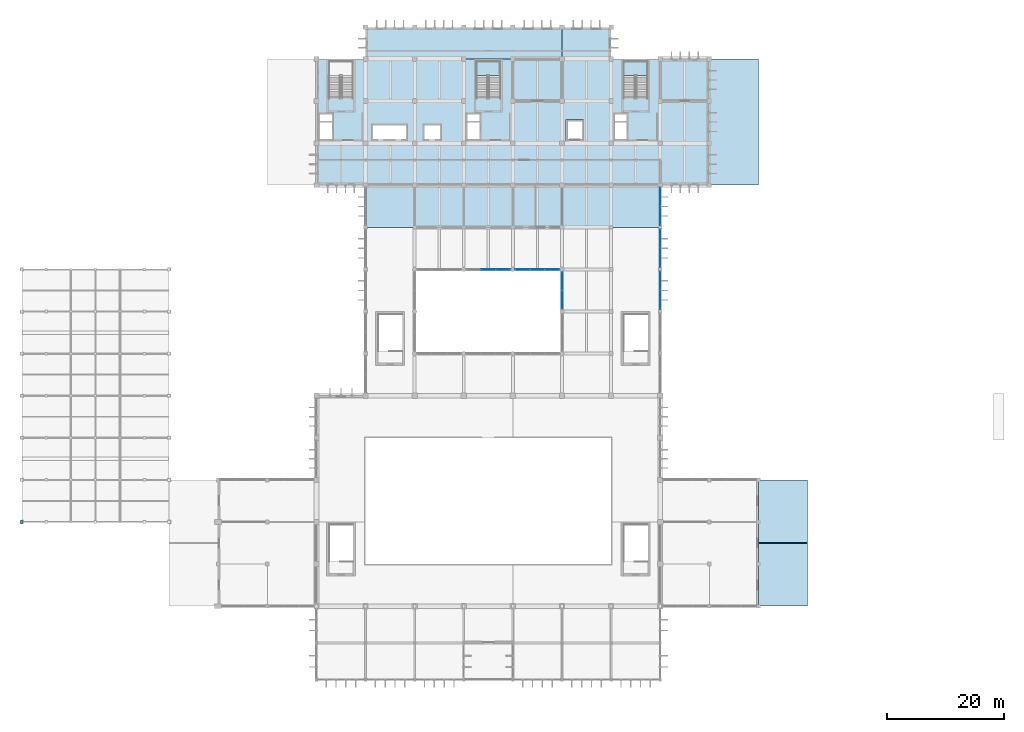
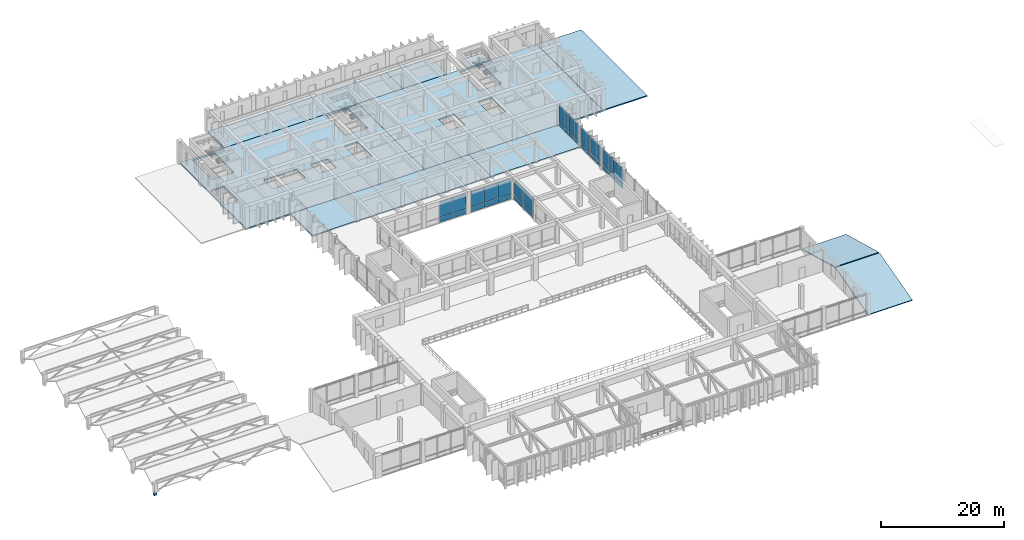
# One storey, part 24 of 40: 27 plates, 11 slabs, 8 elements without a shape of their own.
"""IFC4 building model written with IfcOpenShell, lengths in metres."""

from ifc_helpers import new_model, si_unit, direction, frame, origin, origin_2d, place, context, subcontext, project, spatial, polyline, rectangle, outline, extrude, material, layer, layer_set, type_object, element, aggregate, save


model = new_model("IFC4")

# Units and contexts
model_context = context("Model", 3, precision=1e-05, world=origin(), true_north=direction((0.0, 1.0)))
body_context = subcontext(model_context, "Body", "Model", "MODEL_VIEW")
ifc_project = project(units=[si_unit("LENGTHUNIT", "METRE"), si_unit("AREAUNIT", "SQUARE_METRE"), si_unit("VOLUMEUNIT", "CUBIC_METRE"), si_unit("PLANEANGLEUNIT", "RADIAN"), si_unit("MASSUNIT", "GRAM", prefix="KILO")], contexts=[model_context])

# Site, building, storey
site_placement = place(None, origin())
site = spatial("IfcSite", under=ifc_project, at=site_placement, CompositionType="ELEMENT")
building_placement = place(site_placement, origin())
building = spatial("IfcBuilding", under=site, at=building_placement, Name="Kenerak Square Central Library", CompositionType="ELEMENT")
storey_placement = place(building_placement, frame((0.0, 0.0, 14.39990234375)))
storey = spatial("IfcBuildingStorey", under=building, at=storey_placement, Name="L03", CompositionType="ELEMENT", Elevation=14.39990234375)

# Plate
ifc_material_1 = material(Name="Steel S355", Category="steel")
ifc_layer_1 = layer(ifc_material_1, 0.030029296875)
ifc_layer_set_1 = layer_set([ifc_layer_1], Name="Steel S355")
plate_type_1 = type_object("IfcPlateType", Name="Auditorium Truss Gusset Node ATN-01 30mm S355", PredefinedType="USERDEFINED", material=ifc_layer_set_1)
plate_1_placement = place(storey_placement, frame((8.0, 31.199951171875, -0.489990234375), z_axis=(0.0, 0.0, 1.0), x_axis=(1.0, 0.0, 0.0)))
element("IfcPlate", 1, at=plate_1_placement, inside=storey, type_object=plate_type_1, Name="Auditorium Truss Bearing Cap ATN-01 0213", ObjectType="GUSSET PLATE", PredefinedType="USERDEFINED", context=body_context, shape_type="SweptSolid", body=[
    extrude(rectangle(XDim=0.47998046875, YDim=0.47998046875, at=origin_2d()), origin(), (0.0, 0.0, 1.0), 0.47998046875),
])

# Slabs
ifc_material_2 = material(Name="Concrete C40/50", Category="concrete")
ifc_layer_2 = layer(ifc_material_2, 0.300048828125)
ifc_layer_set_2 = layer_set([ifc_layer_2], Name="Concrete C40/50")
slab_type_1 = type_object("IfcSlabType", Name="Compact-Shelving Vault Slab FS-300 C40/50", PredefinedType="FLOOR", material=ifc_layer_set_2)
slab_1_placement = place(storey_placement, frame((0.0, 0.0, -0.2998046875)))
element("IfcSlab", 2, at=slab_1_placement, inside=storey, type_object=slab_type_1, Name="V5 Floor Slab L03 087", PredefinedType="FLOOR", context=body_context, shape_type="SweptSolid", body=[
    extrude(outline(polyline([(58.39990234375, 88.800048828125), (58.39990234375, 110.39990234375), (92.0, 110.39990234375), (92.0, 88.800048828125), (58.39990234375, 88.800048828125)]), holes=[polyline([(64.679931640625, 103.64990234375), (64.679931640625, 110.0), (60.52001953125, 110.0), (60.52001953125, 103.64990234375), (64.679931640625, 103.64990234375)]), polyline([(89.8798828125, 103.64990234375), (89.8798828125, 110.0), (85.719970703125, 110.0), (85.719970703125, 103.64990234375), (89.8798828125, 103.64990234375)]), polyline([(67.800048828125, 96.39990234375), (74.0, 96.39990234375), (74.0, 99.300048828125), (67.800048828125, 99.300048828125), (67.800048828125, 96.39990234375)]), polyline([(76.60009765625, 96.39990234375), (79.800048828125, 96.39990234375), (79.800048828125, 99.300048828125), (76.60009765625, 99.300048828125), (76.60009765625, 96.39990234375)]), polyline([(58.800048828125, 96.39990234375), (61.300048828125, 96.39990234375), (61.300048828125, 101.0), (58.800048828125, 101.0), (58.800048828125, 96.39990234375)]), polyline([(84.0, 96.39990234375), (86.5, 96.39990234375), (86.5, 101.0), (84.0, 101.0), (84.0, 96.39990234375)])]), origin(), (0.0, 0.0, 1.0), 0.2998046875),
])
slab_2_placement = place(storey_placement, frame((0.0, 0.0, -0.2998046875)))
element("IfcSlab", 3, at=slab_2_placement, inside=storey, type_object=slab_type_1, Name="V5 Floor Slab L03 088", PredefinedType="FLOOR", context=body_context, shape_type="SweptSolid", body=[
    extrude(outline(polyline([(92.0, 88.800048828125), (92.0, 110.39990234375), (125.60009765625, 110.39990234375), (125.60009765625, 88.800048828125), (92.0, 88.800048828125)]), holes=[polyline([(115.080078125, 103.64990234375), (115.080078125, 110.0), (110.919921875, 110.0), (110.919921875, 103.64990234375), (115.080078125, 103.64990234375)]), polyline([(109.199951171875, 96.39990234375), (111.699951171875, 96.39990234375), (111.699951171875, 101.0), (109.199951171875, 101.0), (109.199951171875, 96.39990234375)]), polyline([(101.10009765625, 96.39990234375), (104.10009765625, 96.39990234375), (104.10009765625, 100.0), (101.10009765625, 100.0), (101.10009765625, 96.39990234375)])]), origin(), (0.0, 0.0, 1.0), 0.2998046875),
])
slab_3_placement = place(storey_placement, frame((0.0, 0.0, -0.2998046875)))
element("IfcSlab", 4, at=slab_3_placement, inside=storey, type_object=slab_type_1, Name="V5 Floor Slab L03 089", PredefinedType="FLOOR", context=body_context, shape_type="SweptSolid", body=[
    extrude(outline(polyline([(66.800048828125, 110.39990234375), (66.800048828125, 115.800048828125), (100.39990234375, 115.800048828125), (100.39990234375, 110.39990234375), (66.800048828125, 110.39990234375)])), origin(), (0.0, 0.0, 1.0), 0.2998046875),
])
slab_4_placement = place(storey_placement, frame((0.0, 0.0, -0.2998046875)))
element("IfcSlab", 5, at=slab_4_placement, inside=storey, type_object=slab_type_1, Name="V5 Floor Slab L03 090", PredefinedType="FLOOR", context=body_context, shape_type="SweptSolid", body=[
    extrude(outline(polyline([(100.39990234375, 110.39990234375), (100.39990234375, 115.800048828125), (108.800048828125, 115.800048828125), (108.800048828125, 110.39990234375), (100.39990234375, 110.39990234375)])), origin(), (0.0, 0.0, 1.0), 0.2998046875),
])

# Curtain wall, plates
ifc_material_3 = material(Name="Intumescent fire-resisting glazing EI 60", Category="glass")
curtain_wall_type_1 = type_object("IfcCurtainWallType", Name="Curtain Wall CW-AT60-64x42 6450x4230", PredefinedType="USERDEFINED", material=ifc_material_3)
curtain_wall_1_placement = place(storey_placement, origin())
curtain_wall_1 = element("IfcCurtainWall", 6, at=curtain_wall_1_placement, inside=storey, type_object=curtain_wall_type_1, Name="Atrium Fire-Rated Glazed Screen CW-AT60-64x42 L03 0171", ObjectType="CURTAIN WALL", PredefinedType="USERDEFINED")
ifc_layer_3 = layer(ifc_material_3, 0.0419921875)
ifc_layer_set_3 = layer_set([ifc_layer_3], Name="Intumescent fire-resisting glazing EI 60")
plate_type_2 = type_object("IfcPlateType", Name="Fire-Rated EI60 Atrium Glazing Panel CP-42", PredefinedType="CURTAIN_PANEL", material=ifc_layer_set_3)
plate_2_placement = place(storey_placement, frame((100.39990234375, 69.205078125, 0.06982421875), z_axis=(0.0, 0.0, 1.0), x_axis=(0.0, 1.0, 0.0)))
plate_2 = element("IfcPlate", 7, at=plate_2_placement, type_object=plate_type_2, Name="CW-AT60-64x42 Panel 1.1", PredefinedType="CURTAIN_PANEL", context=body_context, shape_type="SweptSolid", body=[
    extrude(rectangle(XDim=3.1201171875, YDim=0.0419921875, at=origin_2d()), origin(), (0.0, 0.0, 1.0), 0.945068359375),
])
plate_3_placement = place(storey_placement, frame((100.39990234375, 69.205078125, 1.0849609375), z_axis=(0.0, 0.0, 1.0), x_axis=(0.0, 1.0, 0.0)))
plate_3 = element("IfcPlate", 8, at=plate_3_placement, type_object=plate_type_2, Name="CW-AT60-64x42 Panel 1.2", PredefinedType="CURTAIN_PANEL", context=body_context, shape_type="SweptSolid", body=[
    extrude(rectangle(XDim=3.1201171875, YDim=0.0419921875, at=origin_2d()), origin(), (0.0, 0.0, 1.0), 3.074951171875),
])
plate_4_placement = place(storey_placement, frame((100.39990234375, 72.39501953125, 0.06982421875), z_axis=(0.0, 0.0, 1.0), x_axis=(0.0, 1.0, 0.0)))
plate_4 = element("IfcPlate", 9, at=plate_4_placement, type_object=plate_type_2, Name="CW-AT60-64x42 Panel 2.1", PredefinedType="CURTAIN_PANEL", context=body_context, shape_type="SweptSolid", body=[
    extrude(rectangle(XDim=3.1201171875, YDim=0.0419921875, at=origin_2d()), origin(), (0.0, 0.0, 1.0), 0.945068359375),
])
plate_5_placement = place(storey_placement, frame((100.39990234375, 72.39501953125, 1.0849609375), z_axis=(0.0, 0.0, 1.0), x_axis=(0.0, 1.0, 0.0)))
plate_5 = element("IfcPlate", 10, at=plate_5_placement, type_object=plate_type_2, Name="CW-AT60-64x42 Panel 2.2", PredefinedType="CURTAIN_PANEL", context=body_context, shape_type="SweptSolid", body=[
    extrude(rectangle(XDim=3.1201171875, YDim=0.0419921875, at=origin_2d()), origin(), (0.0, 0.0, 1.0), 3.074951171875),
])
aggregate(curtain_wall_1, [plate_2, plate_3, plate_4, plate_5])

curtain_wall_type_2 = type_object("IfcCurtainWallType", Name="Curtain Wall CW-AT60-76x42 7650x4230", PredefinedType="USERDEFINED", material=ifc_material_3)
curtain_wall_2_placement = place(storey_placement, origin())
curtain_wall_2 = element("IfcCurtainWall", 11, at=curtain_wall_2_placement, inside=storey, type_object=curtain_wall_type_2, Name="Atrium Fire-Rated Glazed Screen CW-AT60-76x42 L03 0172", ObjectType="CURTAIN WALL", PredefinedType="USERDEFINED")
plate_6_placement = place(storey_placement, frame((98.732421875, 74.39990234375, 0.06982421875), z_axis=(0.0, 0.0, 1.0), x_axis=(-1.0, 0.0, 0.0)))
plate_6 = element("IfcPlate", 12, at=plate_6_placement, type_object=plate_type_2, Name="CW-AT60-76x42 Panel 1.1", PredefinedType="CURTAIN_PANEL", context=body_context, shape_type="SweptSolid", body=[
    extrude(rectangle(XDim=2.445068359375, YDim=0.0419921875, at=origin_2d()), origin(), (0.0, 0.0, 1.0), 0.945068359375),
])
plate_7_placement = place(storey_placement, frame((98.732421875, 74.39990234375, 1.0849609375), z_axis=(0.0, 0.0, 1.0), x_axis=(-1.0, 0.0, 0.0)))
plate_7 = element("IfcPlate", 13, at=plate_7_placement, type_object=plate_type_2, Name="CW-AT60-76x42 Panel 1.2", PredefinedType="CURTAIN_PANEL", context=body_context, shape_type="SweptSolid", body=[
    extrude(rectangle(XDim=2.445068359375, YDim=0.0419921875, at=origin_2d()), origin(), (0.0, 0.0, 1.0), 3.074951171875),
])
plate_8_placement = place(storey_placement, frame((96.199951171875, 74.39990234375, 0.06982421875), z_axis=(0.0, 0.0, 1.0), x_axis=(-1.0, 0.0, 0.0)))
plate_8 = element("IfcPlate", 14, at=plate_8_placement, type_object=plate_type_2, Name="CW-AT60-76x42 Panel 2.1", PredefinedType="CURTAIN_PANEL", context=body_context, shape_type="SweptSolid", body=[
    extrude(rectangle(XDim=2.47998046875, YDim=0.0419921875, at=origin_2d()), origin(), (0.0, 0.0, 1.0), 0.945068359375),
])
plate_9_placement = place(storey_placement, frame((96.199951171875, 74.39990234375, 1.0849609375), z_axis=(0.0, 0.0, 1.0), x_axis=(-1.0, 0.0, 0.0)))
plate_9 = element("IfcPlate", 15, at=plate_9_placement, type_object=plate_type_2, Name="CW-AT60-76x42 Panel 2.2", PredefinedType="CURTAIN_PANEL", context=body_context, shape_type="SweptSolid", body=[
    extrude(rectangle(XDim=2.47998046875, YDim=0.0419921875, at=origin_2d()), origin(), (0.0, 0.0, 1.0), 3.074951171875),
])
plate_10_placement = place(storey_placement, frame((93.66748046875, 74.39990234375, 0.06982421875), z_axis=(0.0, 0.0, 1.0), x_axis=(-1.0, 0.0, 0.0)))
plate_10 = element("IfcPlate", 16, at=plate_10_placement, type_object=plate_type_2, Name="CW-AT60-76x42 Panel 3.1", PredefinedType="CURTAIN_PANEL", context=body_context, shape_type="SweptSolid", body=[
    extrude(rectangle(XDim=2.445068359375, YDim=0.0419921875, at=origin_2d()), origin(), (0.0, 0.0, 1.0), 0.945068359375),
])
plate_11_placement = place(storey_placement, frame((93.66748046875, 74.39990234375, 1.0849609375), z_axis=(0.0, 0.0, 1.0), x_axis=(-1.0, 0.0, 0.0)))
plate_11 = element("IfcPlate", 17, at=plate_11_placement, type_object=plate_type_2, Name="CW-AT60-76x42 Panel 3.2", PredefinedType="CURTAIN_PANEL", context=body_context, shape_type="SweptSolid", body=[
    extrude(rectangle(XDim=2.445068359375, YDim=0.0419921875, at=origin_2d()), origin(), (0.0, 0.0, 1.0), 3.074951171875),
])
aggregate(curtain_wall_2, [plate_6, plate_7, plate_8, plate_9, plate_10, plate_11])

curtain_wall_3_placement = place(storey_placement, origin())
curtain_wall_3 = element("IfcCurtainWall", 18, at=curtain_wall_3_placement, inside=storey, type_object=curtain_wall_type_2, Name="Atrium Fire-Rated Glazed Screen CW-AT60-76x42 L03 0173", ObjectType="CURTAIN WALL", PredefinedType="USERDEFINED")
plate_12_placement = place(storey_placement, frame((90.33251953125, 74.39990234375, 0.06982421875), z_axis=(0.0, 0.0, 1.0), x_axis=(-1.0, 0.0, 0.0)))
plate_12 = element("IfcPlate", 19, at=plate_12_placement, type_object=plate_type_2, Name="CW-AT60-76x42 Panel 1.1", PredefinedType="CURTAIN_PANEL", context=body_context, shape_type="SweptSolid", body=[
    extrude(rectangle(XDim=2.445068359375, YDim=0.0419921875, at=origin_2d()), origin(), (0.0, 0.0, 1.0), 0.945068359375),
])
plate_13_placement = place(storey_placement, frame((90.33251953125, 74.39990234375, 1.0849609375), z_axis=(0.0, 0.0, 1.0), x_axis=(-1.0, 0.0, 0.0)))
plate_13 = element("IfcPlate", 20, at=plate_13_placement, type_object=plate_type_2, Name="CW-AT60-76x42 Panel 1.2", PredefinedType="CURTAIN_PANEL", context=body_context, shape_type="SweptSolid", body=[
    extrude(rectangle(XDim=2.445068359375, YDim=0.0419921875, at=origin_2d()), origin(), (0.0, 0.0, 1.0), 3.074951171875),
])
plate_14_placement = place(storey_placement, frame((87.800048828125, 74.39990234375, 0.06982421875), z_axis=(0.0, 0.0, 1.0), x_axis=(-1.0, 0.0, 0.0)))
plate_14 = element("IfcPlate", 21, at=plate_14_placement, type_object=plate_type_2, Name="CW-AT60-76x42 Panel 2.1", PredefinedType="CURTAIN_PANEL", context=body_context, shape_type="SweptSolid", body=[
    extrude(rectangle(XDim=2.47998046875, YDim=0.0419921875, at=origin_2d()), origin(), (0.0, 0.0, 1.0), 0.945068359375),
])
plate_15_placement = place(storey_placement, frame((87.800048828125, 74.39990234375, 1.0849609375), z_axis=(0.0, 0.0, 1.0), x_axis=(-1.0, 0.0, 0.0)))
plate_15 = element("IfcPlate", 22, at=plate_15_placement, type_object=plate_type_2, Name="CW-AT60-76x42 Panel 2.2", PredefinedType="CURTAIN_PANEL", context=body_context, shape_type="SweptSolid", body=[
    extrude(rectangle(XDim=2.47998046875, YDim=0.0419921875, at=origin_2d()), origin(), (0.0, 0.0, 1.0), 3.074951171875),
])
aggregate(curtain_wall_3, [plate_12, plate_13, plate_14, plate_15])

# Slabs
ifc_layer_4 = layer(ifc_material_2, 0.22509765625)
ifc_layer_set_4 = layer_set([ifc_layer_4], Name="Concrete C40/50")
slab_type_2 = type_object("IfcSlabType", Name="General Reading Room Slab FS-225 C40/50", PredefinedType="FLOOR", material=ifc_layer_set_4)
slab_5_placement = place(storey_placement, frame((0.0, 0.0, -0.224853515625)))
element("IfcSlab", 23, at=slab_5_placement, inside=storey, type_object=slab_type_2, Name="V4 Floor Slab L03 049", PredefinedType="FLOOR", context=body_context, shape_type="SweptSolid", body=[
    extrude(outline(polyline([(66.800048828125, 81.60009765625), (66.800048828125, 88.800048828125), (100.39990234375, 88.800048828125), (100.39990234375, 81.60009765625), (66.800048828125, 81.60009765625)])), origin(), (0.0, 0.0, 1.0), 0.224853515625),
])
slab_6_placement = place(storey_placement, frame((0.0, 0.0, -0.224853515625)))
element("IfcSlab", 24, at=slab_6_placement, inside=storey, type_object=slab_type_2, Name="V4 Floor Slab L03 051", PredefinedType="FLOOR", context=body_context, shape_type="SweptSolid", body=[
    extrude(outline(polyline([(100.39990234375, 81.60009765625), (100.39990234375, 88.800048828125), (117.199951171875, 88.800048828125), (117.199951171875, 81.60009765625), (100.39990234375, 81.60009765625)])), origin(), (0.0, 0.0, 1.0), 0.224853515625),
])
ifc_layer_5 = layer(ifc_material_2, 0.199951171875)
ifc_layer_set_5 = layer_set([ifc_layer_5], Name="Concrete C40/50")
slab_type_3 = type_object("IfcSlabType", Name="Heavyweight Stack Flat Roof Slab RS-200 C40/50", PredefinedType="ROOF", material=ifc_layer_set_5)
slab_7_placement = place(storey_placement, frame((0.0, 0.0, -0.199951171875)))
element("IfcSlab", 25, at=slab_7_placement, inside=storey, type_object=slab_type_3, Name="Stepped Stack Roof V5-L03-E", PredefinedType="ROOF", context=body_context, shape_type="SweptSolid", body=[
    extrude(outline(polyline([(125.64990234375, 88.800048828125), (134.0, 88.800048828125), (134.0, 110.39990234375), (125.64990234375, 110.39990234375), (125.64990234375, 88.800048828125)])), origin(), (0.0, 0.0, 1.0), 0.199951171875),
])

# Curtain wall, plates
ifc_material_4 = material(Name="Anodised aluminium and solar-control low-E glazing", Category="aluminium")
curtain_wall_type_3 = type_object("IfcCurtainWallType", Name="Curtain Wall CW-V4-64x42 6475x4230", PredefinedType="USERDEFINED", material=ifc_material_4)
curtain_wall_4_placement = place(storey_placement, origin())
curtain_wall_4 = element("IfcCurtainWall", 26, at=curtain_wall_4_placement, inside=storey, type_object=curtain_wall_type_3, Name="Curtain Wall CW-V4-64x42 L03 0116", ObjectType="CURTAIN WALL", PredefinedType="USERDEFINED")
ifc_material_5 = material(Name="Solar-control low-E laminated double glazing", Category="glass")
ifc_layer_6 = layer(ifc_material_5, 0.02392578125)
ifc_layer_set_6 = layer_set([ifc_layer_6], Name="Solar-control low-E laminated double glazing")
plate_type_3 = type_object("IfcPlateType", Name="Low-E Double Glazed Curtain Panel CP-24", PredefinedType="CURTAIN_PANEL", material=ifc_layer_set_6)
plate_16_placement = place(storey_placement, frame((117.199951171875, 86.764892578125, 0.06494140625), z_axis=(0.0, 0.0, 1.0), x_axis=(0.0, -1.0, 0.0)))
plate_16 = element("IfcPlate", 27, at=plate_16_placement, type_object=plate_type_3, Name="CW-V4-64x42 Panel 1.1", PredefinedType="CURTAIN_PANEL", context=body_context, shape_type="SweptSolid", body=[
    extrude(rectangle(XDim=3.139892578125, YDim=0.02392578125, at=origin_2d()), origin(), (0.0, 0.0, 1.0), 0.802490234375),
])
plate_17_placement = place(storey_placement, frame((117.199951171875, 86.764892578125, 0.9326171875), z_axis=(0.0, 0.0, 1.0), x_axis=(0.0, -1.0, 0.0)))
plate_17 = element("IfcPlate", 28, at=plate_17_placement, type_object=plate_type_3, Name="CW-V4-64x42 Panel 1.2", PredefinedType="CURTAIN_PANEL", context=body_context, shape_type="SweptSolid", body=[
    extrude(rectangle(XDim=3.139892578125, YDim=0.02392578125, at=origin_2d()), origin(), (0.0, 0.0, 1.0), 3.232421875),
])
plate_18_placement = place(storey_placement, frame((117.199951171875, 83.56005859375, 0.06494140625), z_axis=(0.0, 0.0, 1.0), x_axis=(0.0, -1.0, 0.0)))
plate_18 = element("IfcPlate", 29, at=plate_18_placement, type_object=plate_type_3, Name="CW-V4-64x42 Panel 2.1", PredefinedType="CURTAIN_PANEL", context=body_context, shape_type="SweptSolid", body=[
    extrude(rectangle(XDim=3.139892578125, YDim=0.02392578125, at=origin_2d()), origin(), (0.0, 0.0, 1.0), 0.802490234375),
])
plate_19_placement = place(storey_placement, frame((117.199951171875, 83.56005859375, 0.9326171875), z_axis=(0.0, 0.0, 1.0), x_axis=(0.0, -1.0, 0.0)))
plate_19 = element("IfcPlate", 30, at=plate_19_placement, type_object=plate_type_3, Name="CW-V4-64x42 Panel 2.2", PredefinedType="CURTAIN_PANEL", context=body_context, shape_type="SweptSolid", body=[
    extrude(rectangle(XDim=3.139892578125, YDim=0.02392578125, at=origin_2d()), origin(), (0.0, 0.0, 1.0), 3.232421875),
])
aggregate(curtain_wall_4, [plate_16, plate_17, plate_18, plate_19])

curtain_wall_type_4 = type_object("IfcCurtainWallType", Name="Curtain Wall CW-V4-65x42 6550x4230", PredefinedType="USERDEFINED", material=ifc_material_4)
curtain_wall_5_placement = place(storey_placement, origin())
curtain_wall_5 = element("IfcCurtainWall", 31, at=curtain_wall_5_placement, inside=storey, type_object=curtain_wall_type_4, Name="Curtain Wall CW-V4-65x42 L03 0117", ObjectType="CURTAIN WALL", PredefinedType="USERDEFINED")
plate_20_placement = place(storey_placement, frame((117.199951171875, 79.621337890625, 0.06494140625), z_axis=(0.0, 0.0, 1.0), x_axis=(0.0, -1.0, 0.0)))
plate_20 = element("IfcPlate", 32, at=plate_20_placement, type_object=plate_type_3, Name="CW-V4-65x42 Panel 1.1", PredefinedType="CURTAIN_PANEL", context=body_context, shape_type="SweptSolid", body=[
    extrude(rectangle(XDim=3.177490234375, YDim=0.02392578125, at=origin_2d()), origin(), (0.0, 0.0, 1.0), 0.802490234375),
])
plate_21_placement = place(storey_placement, frame((117.199951171875, 79.621337890625, 0.9326171875), z_axis=(0.0, 0.0, 1.0), x_axis=(0.0, -1.0, 0.0)))
plate_21 = element("IfcPlate", 33, at=plate_21_placement, type_object=plate_type_3, Name="CW-V4-65x42 Panel 1.2", PredefinedType="CURTAIN_PANEL", context=body_context, shape_type="SweptSolid", body=[
    extrude(rectangle(XDim=3.177490234375, YDim=0.02392578125, at=origin_2d()), origin(), (0.0, 0.0, 1.0), 3.232421875),
])
plate_22_placement = place(storey_placement, frame((117.199951171875, 76.378662109375, 0.06494140625), z_axis=(0.0, 0.0, 1.0), x_axis=(0.0, -1.0, 0.0)))
plate_22 = element("IfcPlate", 34, at=plate_22_placement, type_object=plate_type_3, Name="CW-V4-65x42 Panel 2.1", PredefinedType="CURTAIN_PANEL", context=body_context, shape_type="SweptSolid", body=[
    extrude(rectangle(XDim=3.177490234375, YDim=0.02392578125, at=origin_2d()), origin(), (0.0, 0.0, 1.0), 0.802490234375),
])
plate_23_placement = place(storey_placement, frame((117.199951171875, 76.378662109375, 0.9326171875), z_axis=(0.0, 0.0, 1.0), x_axis=(0.0, -1.0, 0.0)))
plate_23 = element("IfcPlate", 35, at=plate_23_placement, type_object=plate_type_3, Name="CW-V4-65x42 Panel 2.2", PredefinedType="CURTAIN_PANEL", context=body_context, shape_type="SweptSolid", body=[
    extrude(rectangle(XDim=3.177490234375, YDim=0.02392578125, at=origin_2d()), origin(), (0.0, 0.0, 1.0), 3.232421875),
])
aggregate(curtain_wall_5, [plate_20, plate_21, plate_22, plate_23])

curtain_wall_6_placement = place(storey_placement, origin())
curtain_wall_6 = element("IfcCurtainWall", 36, at=curtain_wall_6_placement, inside=storey, type_object=curtain_wall_type_4, Name="Curtain Wall CW-V4-65x42 L03 0118", ObjectType="CURTAIN WALL", PredefinedType="USERDEFINED")
plate_24_placement = place(storey_placement, frame((117.199951171875, 72.421142578125, 0.06494140625), z_axis=(0.0, 0.0, 1.0), x_axis=(0.0, -1.0, 0.0)))
plate_24 = element("IfcPlate", 37, at=plate_24_placement, type_object=plate_type_3, Name="CW-V4-65x42 Panel 1.1", PredefinedType="CURTAIN_PANEL", context=body_context, shape_type="SweptSolid", body=[
    extrude(rectangle(XDim=3.177490234375, YDim=0.02392578125, at=origin_2d()), origin(), (0.0, 0.0, 1.0), 0.802490234375),
])
plate_25_placement = place(storey_placement, frame((117.199951171875, 72.421142578125, 0.9326171875), z_axis=(0.0, 0.0, 1.0), x_axis=(0.0, -1.0, 0.0)))
plate_25 = element("IfcPlate", 38, at=plate_25_placement, type_object=plate_type_3, Name="CW-V4-65x42 Panel 1.2", PredefinedType="CURTAIN_PANEL", context=body_context, shape_type="SweptSolid", body=[
    extrude(rectangle(XDim=3.177490234375, YDim=0.02392578125, at=origin_2d()), origin(), (0.0, 0.0, 1.0), 3.232421875),
])
plate_26_placement = place(storey_placement, frame((117.199951171875, 69.1787109375, 0.06494140625), z_axis=(0.0, 0.0, 1.0), x_axis=(0.0, -1.0, 0.0)))
plate_26 = element("IfcPlate", 39, at=plate_26_placement, type_object=plate_type_3, Name="CW-V4-65x42 Panel 2.1", PredefinedType="CURTAIN_PANEL", context=body_context, shape_type="SweptSolid", body=[
    extrude(rectangle(XDim=3.177490234375, YDim=0.02392578125, at=origin_2d()), origin(), (0.0, 0.0, 1.0), 0.802490234375),
])
plate_27_placement = place(storey_placement, frame((117.199951171875, 69.1787109375, 0.9326171875), z_axis=(0.0, 0.0, 1.0), x_axis=(0.0, -1.0, 0.0)))
plate_27 = element("IfcPlate", 40, at=plate_27_placement, type_object=plate_type_3, Name="CW-V4-65x42 Panel 2.2", PredefinedType="CURTAIN_PANEL", context=body_context, shape_type="SweptSolid", body=[
    extrude(rectangle(XDim=3.177490234375, YDim=0.02392578125, at=origin_2d()), origin(), (0.0, 0.0, 1.0), 3.232421875),
])
aggregate(curtain_wall_6, [plate_24, plate_25, plate_26, plate_27])

# Slabs
ifc_material_6 = material(Name="Precast concrete C40/50", Category="concrete")
ifc_layer_7 = layer(ifc_material_6, 0.179931640625)
ifc_layer_set_7 = layer_set([ifc_layer_7], Name="Precast concrete C40/50")
slab_type_4 = type_object("IfcSlabType", Name="Pitched Standing-Seam Acoustic Roof Deck RS-180 C40/50", PredefinedType="ROOF", material=ifc_layer_set_7)
for number, where, z_axis, x_axis, name in (
    (41, (134.0400390625, 16.800048828125, 0.0), (0.0, -0.261148776659, 0.965298563373), (1.0, 0.0, 0.0), "Tropical Overhang Roof V6E-STEP1 South"),
    (42, (134.0400390625, 27.679931640625, 2.900146484375), (0.0, 0.261148776659, 0.965298563373), (1.0, 0.0, 0.0), "Tropical Overhang Roof V6E-STEP1 North"),
):
    element("IfcSlab", number, at=place(storey_placement, frame(where, z_axis=z_axis, x_axis=x_axis)), inside=storey, type_object=slab_type_4, Name=name, PredefinedType="ROOF", context=body_context, shape_type="SweptSolid", body=[
        extrude(outline(polyline([(0.0, 0.0), (8.320068359375, 0.0), (8.320068359375, 11.105342025651032), (0.0, 11.105342025651032), (0.0, 0.0)])), origin(), (0.0, 0.0, -1.0), 0.179931640625),
    ])

# Stair, slab
stair_type = type_object("IfcStairType", Name="Exit Dogleg Stair ST-448 C40/50", PredefinedType="HALF_TURN_STAIR", material=ifc_material_2)
stair_1_placement = place(storey_placement, origin())
stair_1 = element("IfcStair", 43, at=stair_1_placement, inside=storey, type_object=stair_type, Name="L03 Protected Exit Stair ST-02", PredefinedType="HALF_TURN_STAIR")
ifc_layer_8 = layer(ifc_material_2, 0.199951171875)
ifc_layer_set_8 = layer_set([ifc_layer_8], Name="Concrete C40/50")
slab_type_5 = type_object("IfcSlabType", Name="Stair Half-Landing Slab LD-200 C40/50", PredefinedType="LANDING", material=ifc_layer_set_8)
slab_8_placement = place(storey_placement, frame((0.0, 0.0, 2.0400390625)))
slab_8 = element("IfcSlab", 44, at=slab_8_placement, type_object=slab_type_5, Name="ST-02 Landing 1", PredefinedType="LANDING", context=body_context, shape_type="SweptSolid", body=[
    extrude(outline(polyline([(89.8798828125, 107.550048828125), (89.8798828125, 110.0), (85.719970703125, 110.0), (85.719970703125, 107.550048828125), (89.8798828125, 107.550048828125)])), origin(), (0.0, 0.0, 1.0), 0.199951171875),
])
aggregate(stair_1, [slab_8])

stair_2_placement = place(storey_placement, origin())
stair_2 = element("IfcStair", 45, at=stair_2_placement, inside=storey, type_object=stair_type, Name="L03 Protected Exit Stair ST-03", PredefinedType="HALF_TURN_STAIR")
slab_9_placement = place(storey_placement, frame((0.0, 0.0, 2.0400390625)))
slab_9 = element("IfcSlab", 46, at=slab_9_placement, type_object=slab_type_5, Name="ST-03 Landing 1", PredefinedType="LANDING", context=body_context, shape_type="SweptSolid", body=[
    extrude(outline(polyline([(115.080078125, 107.550048828125), (115.080078125, 110.0), (110.919921875, 110.0), (110.919921875, 107.550048828125), (115.080078125, 107.550048828125)])), origin(), (0.0, 0.0, 1.0), 0.199951171875),
])
aggregate(stair_2, [slab_9])

save(model, "model.ifc")
